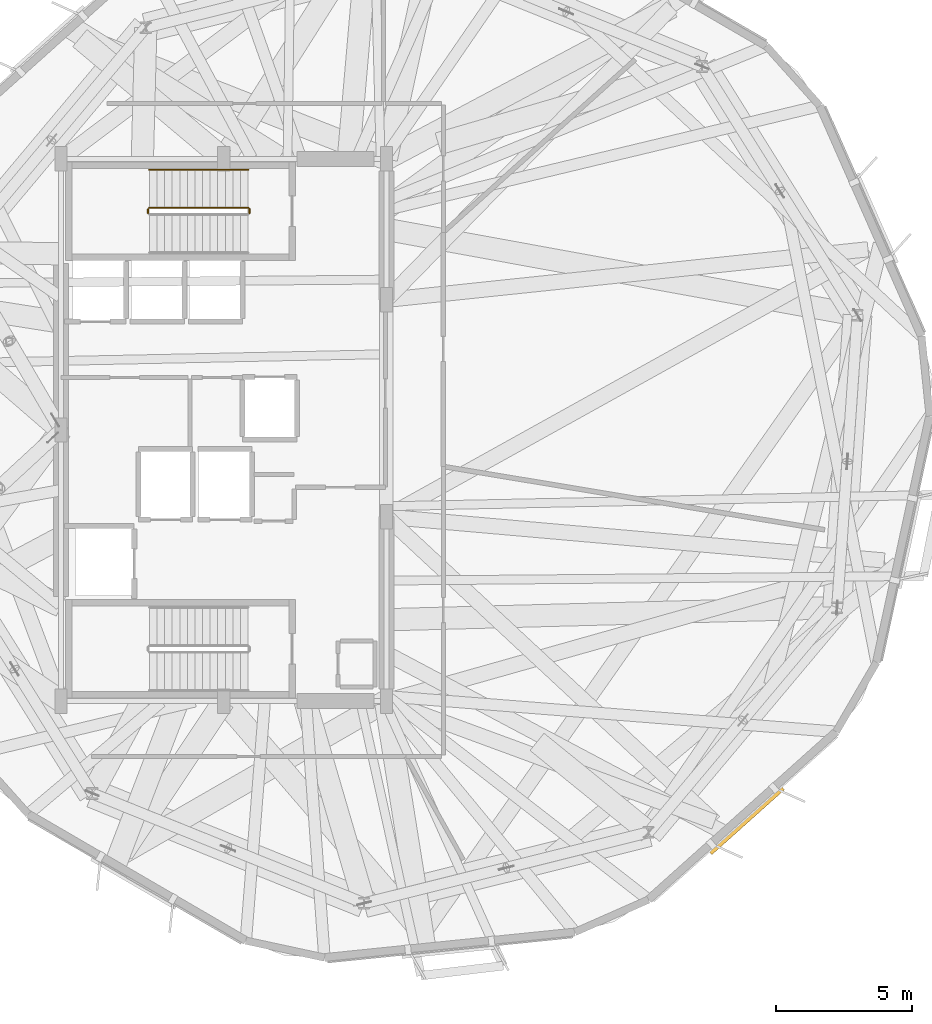
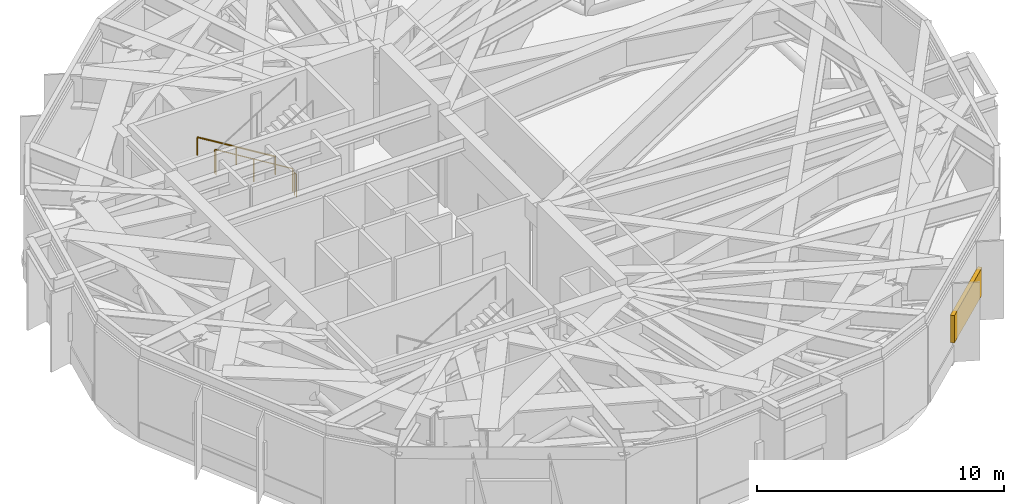
# One storey, part 13 of 14: 4 railings, 1 shading device.
"""IFC4 building model written with IfcOpenShell, lengths in metres."""

from ifc_helpers import new_model, si_unit, direction, frame, origin, origin_2d, place, context, subcontext, project, spatial, rectangle, circle, extrude, material, layer, layer_set, type_object, element, save


model = new_model("IFC4")

# Units and contexts
model_context = context("Model", 3, precision=1e-05, world=origin(), true_north=direction((0.0, 1.0)))
body_context = subcontext(model_context, "Body", "Model", "MODEL_VIEW")
ifc_project = project(units=[si_unit("LENGTHUNIT", "METRE"), si_unit("AREAUNIT", "SQUARE_METRE"), si_unit("VOLUMEUNIT", "CUBIC_METRE"), si_unit("PLANEANGLEUNIT", "RADIAN"), si_unit("MASSUNIT", "GRAM", prefix="KILO")], contexts=[model_context])

# Site, building, storey
site_placement = place(None, origin())
site = spatial("IfcSite", under=ifc_project, at=site_placement, CompositionType="ELEMENT")
building_placement = place(site_placement, origin())
building = spatial("IfcBuilding", under=site, at=building_placement, Name="Soratama Intermodal Tower", CompositionType="ELEMENT")
storey_placement = place(building_placement, frame((0.0, 0.0, 185.800048828125)))
storey = spatial("IfcBuildingStorey", under=building, at=storey_placement, Name="L46", CompositionType="ELEMENT", Elevation=185.800048828125)

# Railings
ifc_material_1 = material(Name="Painted steel stair guardrail", Category="steel")
railing_type_1 = type_object("IfcRailingType", Name="RL-STAIR-GUARD", PredefinedType="GUARDRAIL", material=ifc_material_1)
railing_1_placement = place(storey_placement, frame((39.5, 33.199951171875, 0.17138671875)))
element("IfcRailing", 1, at=railing_1_placement, inside=storey, type_object=railing_type_1, Name="L46 ST-2 stair guard 1", PredefinedType="GUARDRAIL", context=body_context, shape_type="SweptSolid", body=[
    extrude(circle(Radius=0.02392578125, at=origin_2d()), frame((0.0, 0.0, 1.1259765625), z_axis=(-0.852850264322, 0.0, 0.5221555579), x_axis=(0.0, -1.0, 0.0)), (0.0, 0.0, 1.0), 4.267822265625),
    extrude(circle(Radius=0.02099609375, at=origin_2d()), origin(), (0.0, 0.0, 1.0), 1.101806640625),
    extrude(circle(Radius=0.02099609375, at=origin_2d()), frame((-1.81982421875, 0.0, 1.1142578125)), (0.0, 0.0, 1.0), 1.101806640625),
    extrude(circle(Radius=0.02099609375, at=origin_2d()), frame((-3.639892578125, 0.0, 2.228515625)), (0.0, 0.0, 1.0), 1.101806640625),
])
for number, where, name in (
    (2, (35.81005859375, 33.14990234375, 2.39990234375), "L46 ST-2 stair guard 2"),
    (3, (39.550048828125, 33.14990234375, 0.0), "L46 ST-2 stair guard 4"),
):
    element("IfcRailing", number, at=place(storey_placement, frame(where)), inside=storey, type_object=railing_type_1, Name=name, PredefinedType="GUARDRAIL", context=body_context, shape_type="SweptSolid", body=[
        extrude(circle(Radius=0.02392578125, at=origin_2d()), frame((0.0, 0.0, 1.1259765625), z_axis=(0.0, -1.0, 0.0), x_axis=(1.0, 0.0, 0.0)), (0.0, 0.0, 1.0), 0.14990234375),
        extrude(circle(Radius=0.02099609375, at=origin_2d()), origin(), (0.0, 0.0, 1.0), 1.101806640625),
        extrude(circle(Radius=0.02099609375, at=origin_2d()), frame((0.0, -0.14990234375, 0.0)), (0.0, 0.0, 1.0), 1.101806640625),
    ])
ifc_material_2 = material(Name="Brushed stainless steel handrail", Category="steel")
railing_type_2 = type_object("IfcRailingType", Name="RL-STAIR-HAND", PredefinedType="HANDRAIL", material=ifc_material_2)
railing_2_placement = place(storey_placement, frame((39.5, 34.60009765625, 0.17138671875)))
element("IfcRailing", 4, at=railing_2_placement, inside=storey, type_object=railing_type_2, Name="L46 ST-2 stair handrail 1", PredefinedType="HANDRAIL", context=body_context, shape_type="SweptSolid", body=[
    extrude(circle(Radius=0.02392578125, at=origin_2d()), frame((0.0, 0.0, 0.8759765625), z_axis=(-0.852850264322, 0.0, 0.5221555579), x_axis=(0.0, -1.0, 0.0)), (0.0, 0.0, 1.0), 4.267822265625),
    extrude(circle(Radius=0.02099609375, at=origin_2d()), origin(), (0.0, 0.0, 1.0), 0.851806640625),
    extrude(circle(Radius=0.02099609375, at=origin_2d()), frame((-1.81982421875, 0.0, 1.1142578125)), (0.0, 0.0, 1.0), 0.851806640625),
    extrude(circle(Radius=0.02099609375, at=origin_2d()), frame((-3.639892578125, 0.0, 2.228515625)), (0.0, 0.0, 1.0), 0.851806640625),
])

# Shading device
ifc_material_3 = material(Name="Anodised aluminium weather louvre", Category="aluminium")
ifc_layer = layer(ifc_material_3, 0.1201171875)
ifc_layer_set = layer_set([ifc_layer], Name="Anodised aluminium weather louvre")
shading_device_type = type_object("IfcShadingDeviceType", Name="SH-LOUVRE-PLANT", PredefinedType="JALOUSIE", material=ifc_layer_set)
shading_device_placement = place(storey_placement, frame((57.88671875, 10.59716796875, 1.1748046875), z_axis=(0.0, 0.0, 1.0), x_axis=(0.745243290547, 0.66679264985, 0.0)))
element("IfcShadingDevice", 5, at=shading_device_placement, inside=storey, type_object=shading_device_type, Name="L46 Acoustic Louvre F08", PredefinedType="JALOUSIE", context=body_context, shape_type="SweptSolid", body=[
    extrude(rectangle(XDim=3.60009765625, YDim=0.179931640625, at=origin_2d()), origin(), (0.0, 0.0, 1.0), 1.35009765625),
])

save(model, "model.ifc")
